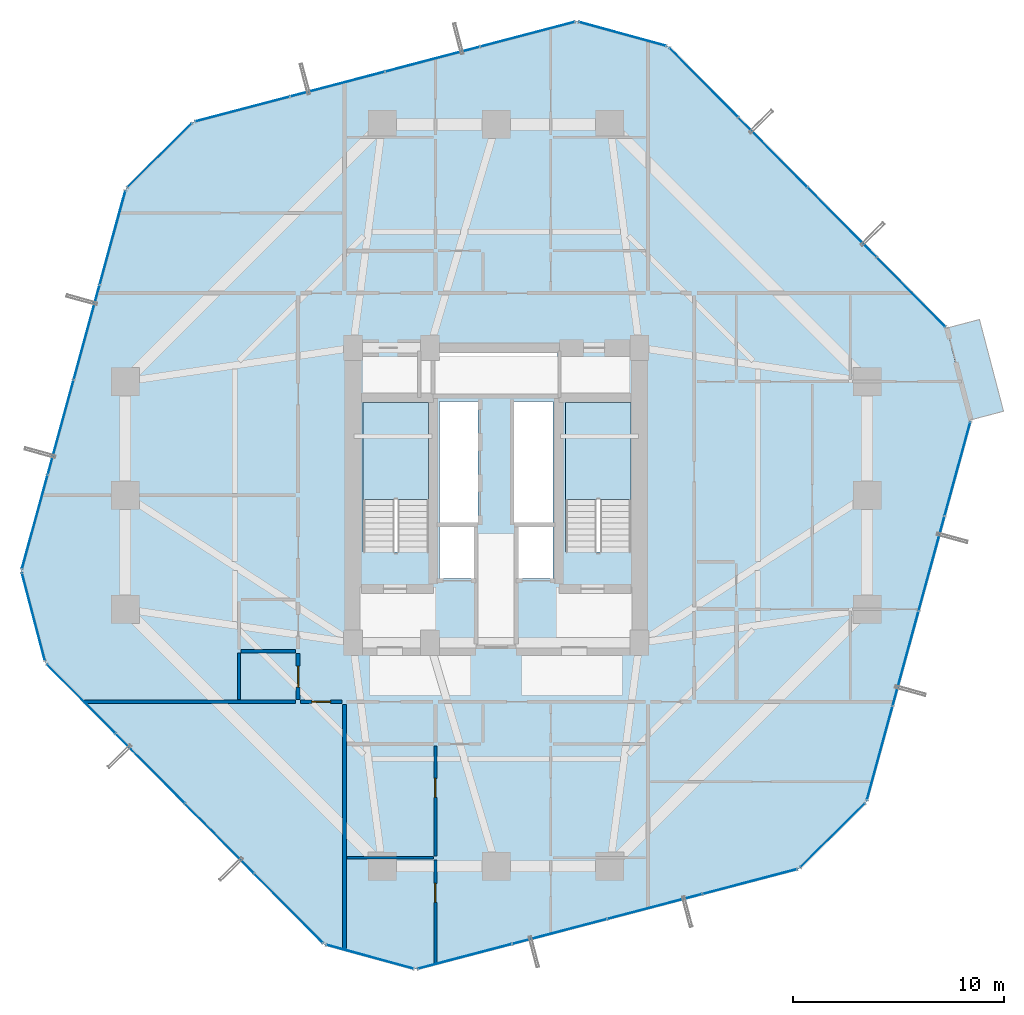
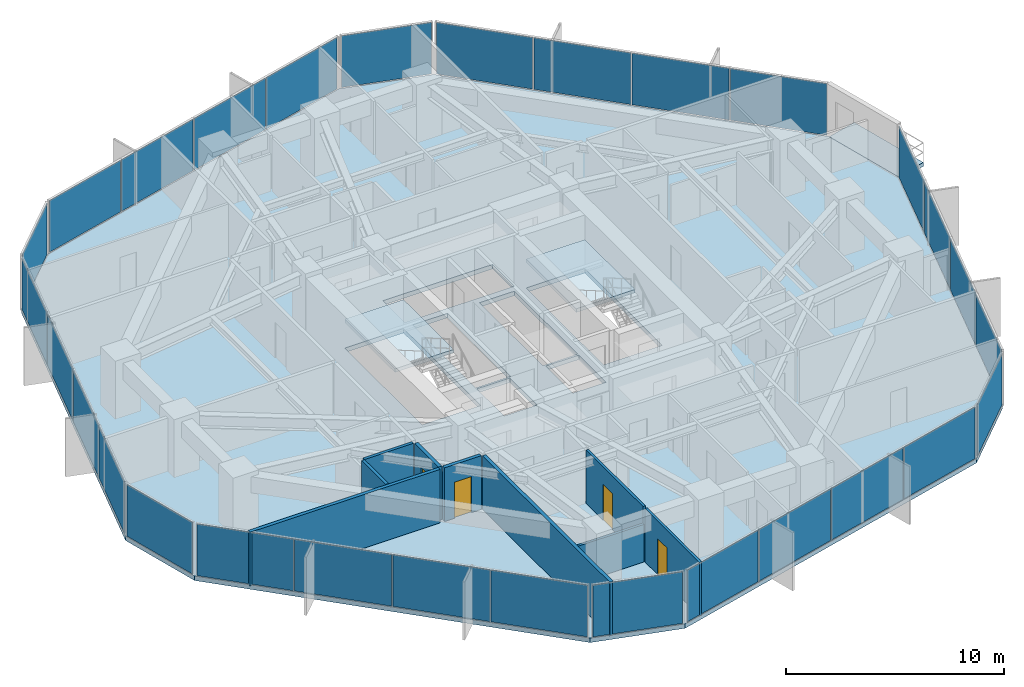
# One storey, part 33 of 39: 29 plates, 9 walls, 4 doors, 4 slabs, 4 openings, 13 elements without a shape of their own.
"""IFC4 building model written with IfcOpenShell, lengths in metres."""

from ifc_helpers import new_model, si_unit, direction, frame, frame_2d, origin, origin_2d, place, context, subcontext, project, spatial, polyline, rectangle, outline, extrude, source, transform, mapped, material, layer, layer_set, type_object, element, fill, aggregate, save


model = new_model("IFC4")

# Units and contexts
model_context = context("Model", 3, precision=1e-05, world=origin(), true_north=direction((0.0, 1.0)))
body_context = subcontext(model_context, "Body", "Model", "MODEL_VIEW")
ifc_project = project(units=[si_unit("LENGTHUNIT", "METRE"), si_unit("AREAUNIT", "SQUARE_METRE"), si_unit("VOLUMEUNIT", "CUBIC_METRE"), si_unit("PLANEANGLEUNIT", "RADIAN"), si_unit("MASSUNIT", "GRAM", prefix="KILO")], contexts=[model_context])

# Site, building, storey
site_placement = place(None, origin())
site = spatial("IfcSite", under=ifc_project, at=site_placement, CompositionType="ELEMENT")
building_placement = place(site_placement, origin())
building = spatial("IfcBuilding", under=site, at=building_placement, Name="Veraguas Prism Commons", CompositionType="ELEMENT")
storey_placement = place(building_placement, frame((0.0, 0.0, 73.85009765625)))
storey = spatial("IfcBuildingStorey", under=building, at=storey_placement, Name="L20", CompositionType="ELEMENT", Elevation=73.85009765625)

# Stair, slab
ifc_material_1 = material(Name="Precast concrete C45/55", Category="concrete")
stair_type = type_object("IfcStairType", Name="Dogleg Core Stair 1480W 20R 05", PredefinedType="HALF_TURN_STAIR", material=ifc_material_1)
stair_1_placement = place(storey_placement, origin())
stair_1 = element("IfcStair", 1, at=stair_1_placement, inside=storey, type_object=stair_type, Name="Protected Exit Stair ST-01 L20", PredefinedType="HALF_TURN_STAIR")
ifc_layer_1 = layer(ifc_material_1, 0.199951171875, Name="Precast Stair and Ramp Landing Slab 200", Category="concrete")
ifc_layer_set_1 = layer_set([ifc_layer_1], Name="Precast concrete C45/55")
slab_type_1 = type_object("IfcSlabType", Name="Precast Stair and Ramp Landing Slab 200", PredefinedType="LANDING", material=ifc_layer_set_1)
slab_1_placement = place(storey_placement, frame((0.0, 0.0, 1.4248046875)))
slab_1 = element("IfcSlab", 2, at=slab_1_placement, type_object=slab_type_1, Name="ST-05 Landing 1", PredefinedType="LANDING", context=body_context, shape_type="SweptSolid", body=[
    extrude(outline(polyline([(20.800048828125, 23.800048828125), (20.800048828125, 28.39990234375), (17.68994140625, 28.39990234375), (17.68994140625, 23.800048828125), (20.800048828125, 23.800048828125)])), origin(), (0.0, 0.0, 1.0), 0.2001953125),
])
aggregate(stair_1, [slab_1])

stair_2_placement = place(storey_placement, origin())
stair_2 = element("IfcStair", 3, at=stair_2_placement, inside=storey, type_object=stair_type, Name="Protected Exit Stair ST-02 L20", PredefinedType="HALF_TURN_STAIR")
slab_2_placement = place(storey_placement, frame((0.0, 0.0, 1.4248046875)))
slab_2 = element("IfcSlab", 4, at=slab_2_placement, type_object=slab_type_1, Name="ST-05 Landing 1", PredefinedType="LANDING", context=body_context, shape_type="SweptSolid", body=[
    extrude(outline(polyline([(30.39990234375, 23.800048828125), (30.39990234375, 28.39990234375), (27.2900390625, 28.39990234375), (27.2900390625, 23.800048828125), (30.39990234375, 23.800048828125)])), origin(), (0.0, 0.0, 1.0), 0.2001953125),
])
aggregate(stair_2, [slab_2])

# Slabs
ifc_material_2 = material(Name="Concrete C45/55", Category="concrete")
ifc_layer_2 = layer(ifc_material_2, 0.219970703125, Name="Recessed Loggia and Terrace Slab RC 220", Category="concrete")
ifc_layer_set_2 = layer_set([ifc_layer_2], Name="Concrete C45/55")
slab_type_2 = type_object("IfcSlabType", Name="Recessed Loggia and Terrace Slab RC 220", PredefinedType="FLOOR", material=ifc_layer_set_2)
slab_3_placement = place(storey_placement, frame((0.0, 0.0, -0.22021484375)))
element("IfcSlab", 5, at=slab_3_placement, inside=storey, type_object=slab_type_2, Name="Recessed Corner Loggia L20-C1", PredefinedType="FLOOR", context=body_context, shape_type="SweptSolid", body=[
    extrude(outline(polyline([(46.509521484375, 27.5791015625), (48.076416015625, 27.990234375), (46.9345703125, 32.343017578125), (45.36767578125, 31.931884765625), (46.509521484375, 27.5791015625)])), origin(), (0.0, 0.0, 1.0), 0.22021484375),
])
ifc_layer_3 = layer(ifc_material_2, 0.25, Name="Tower Lower Residential Floor Slab RC 250", Category="concrete")
ifc_layer_set_3 = layer_set([ifc_layer_3], Name="Concrete C45/55")
slab_type_3 = type_object("IfcSlabType", Name="Tower Lower Residential Floor Slab RC 250", PredefinedType="FLOOR", material=ifc_layer_set_3)
slab_4_placement = place(storey_placement, frame((0.0, 0.0, -0.25)))
element("IfcSlab", 6, at=slab_4_placement, inside=storey, type_object=slab_type_3, Name="Tower Floor Slab L20", PredefinedType="FLOOR", context=body_context, shape_type="SweptSolid", body=[
    extrude(outline(polyline([(46.52880859375, 27.584228515625), (45.386962890625, 31.93701171875), (32.160400390625, 45.302734375), (27.81982421875, 46.489990234375), (9.631591796875, 41.718505859375), (6.43310546875, 38.55322265625), (1.47119140625, 20.415771484375), (2.613037109375, 16.06298828125), (15.839599609375, 2.697265625), (20.18017578125, 1.510009765625), (38.368408203125, 6.281494140625), (41.56689453125, 9.44677734375), (46.52880859375, 27.584228515625)]), holes=[polyline([(20.800048828125, 21.31005859375), (20.800048828125, 28.39990234375), (17.68994140625, 28.39990234375), (17.68994140625, 21.31005859375), (20.800048828125, 21.31005859375)]), polyline([(30.39990234375, 21.31005859375), (30.39990234375, 28.39990234375), (27.2900390625, 28.39990234375), (27.2900390625, 21.31005859375), (30.39990234375, 21.31005859375)]), polyline([(21.300048828125, 22.64990234375), (23.14990234375, 22.64990234375), (23.14990234375, 28.449951171875), (21.300048828125, 28.449951171875), (21.300048828125, 22.64990234375)]), polyline([(24.85009765625, 22.64990234375), (26.699951171875, 22.64990234375), (26.699951171875, 28.449951171875), (24.85009765625, 28.449951171875), (24.85009765625, 22.64990234375)]), polyline([(21.10009765625, 28.800048828125), (26.89990234375, 28.800048828125), (26.89990234375, 30.800048828125), (21.10009765625, 30.800048828125), (21.10009765625, 28.800048828125)]), polyline([(21.300048828125, 20.050048828125), (23.050048828125, 20.050048828125), (23.050048828125, 22.550048828125), (21.300048828125, 22.550048828125), (21.300048828125, 20.050048828125)]), polyline([(24.949951171875, 20.050048828125), (26.699951171875, 20.050048828125), (26.699951171875, 22.550048828125), (24.949951171875, 22.550048828125), (24.949951171875, 20.050048828125)])]), origin(), (0.0, 0.0, 1.0), 0.25),
])

# Curtain wall, plates
ifc_material_3 = material(Name="Anodised aluminium EN AW-6063 T6", Category="aluminium")
ifc_layer_4 = layer(ifc_material_3, 0.169921875, Name="Unitised Flush Curtain Wall Zone 1", Category="aluminium")
ifc_layer_set_4 = layer_set([ifc_layer_4], Name="Anodised aluminium EN AW-6063 T6")
curtain_wall_type = type_object("IfcCurtainWallType", Name="Unitised Flush Curtain Wall Zone 1", PredefinedType="NOTDEFINED", material=ifc_layer_set_4)
curtain_wall_1_placement = place(storey_placement, origin())
curtain_wall_1 = element("IfcCurtainWall", 7, at=curtain_wall_1_placement, inside=storey, type_object=curtain_wall_type, Name="Tower Facade Curtain Wall L20-F1", PredefinedType="NOTDEFINED")
ifc_material_4 = material(Name="Laminated low-e glass", Category="glass")
ifc_layer_5 = layer(ifc_material_4, 0.028076171875, Name="Unitised Double Low-E Glazed Panel 28", Category="glass")
ifc_layer_set_5 = layer_set([ifc_layer_5], Name="Laminated low-e glass")
plate_type = type_object("IfcPlateType", Name="Unitised Double Low-E Glazed Panel 28", PredefinedType="CURTAIN_PANEL", material=ifc_layer_set_5)
shared_shape_1 = source(origin(), body_context, "Body", "SweptSolid", [
    extrude(rectangle(XDim=4.5810546875, YDim=0.028076171875, at=origin_2d()), origin(), (0.0, 0.0, 1.0), 2.889892578125),
])
plate_1_placement = place(storey_placement, frame((43.69140625, 33.650146484375, 0.05517578125), z_axis=(0.0, 0.0, 1.0), x_axis=(-0.70339346223, 0.710800701527, 0.0)))
plate_1 = element("IfcPlate", 8, at=plate_1_placement, type_object=plate_type, Name="CW-Z1 Panel 1.1", PredefinedType="CURTAIN_PANEL", context=body_context, shape_type="MappedRepresentation", body=[
    mapped(shared_shape_1, transform((0.0, 0.0, 0.0), scale=1.0)),
])
plate_2_placement = place(storey_placement, frame((33.85595703125, 43.58935546875, 0.05517578125), z_axis=(0.0, 0.0, 1.0), x_axis=(-0.70339346223, 0.710800701527, 0.0)))
plate_2 = element("IfcPlate", 9, at=plate_2_placement, type_object=plate_type, Name="CW-Z1 Panel 4.1", PredefinedType="CURTAIN_PANEL", context=body_context, shape_type="MappedRepresentation", body=[
    mapped(shared_shape_1, transform((0.0, 0.0, 0.0), scale=1.0)),
])

curtain_wall_2_placement = place(storey_placement, origin())
curtain_wall_2 = element("IfcCurtainWall", 10, at=curtain_wall_2_placement, inside=storey, type_object=curtain_wall_type, Name="Tower Facade Curtain Wall L20-F2", PredefinedType="NOTDEFINED")
plate_3_placement = place(storey_placement, frame((25.48828125, 45.87841796875, 0.05517578125), z_axis=(0.0, 0.0, 1.0), x_axis=(-0.967267309883, -0.253759632785, 0.0)))
plate_3 = element("IfcPlate", 11, at=plate_3_placement, type_object=plate_type, Name="CW-Z1 Panel 1.1", PredefinedType="CURTAIN_PANEL", context=body_context, shape_type="MappedRepresentation", body=[
    mapped(shared_shape_1, transform((0.0, 0.0, 0.0), scale=1.0)),
])
plate_4_placement = place(storey_placement, frame((11.963134765625, 42.330078125, 0.05517578125), z_axis=(0.0, 0.0, 1.0), x_axis=(-0.967267309883, -0.253759632785, 0.0)))
plate_4 = element("IfcPlate", 12, at=plate_4_placement, type_object=plate_type, Name="CW-Z1 Panel 4.1", PredefinedType="CURTAIN_PANEL", context=body_context, shape_type="MappedRepresentation", body=[
    mapped(shared_shape_1, transform((0.0, 0.0, 0.0), scale=1.0)),
])

curtain_wall_3_placement = place(storey_placement, origin())
curtain_wall_3 = element("IfcCurtainWall", 13, at=curtain_wall_3_placement, inside=storey, type_object=curtain_wall_type, Name="Tower Facade Curtain Wall L20-F3", PredefinedType="NOTDEFINED")
plate_5_placement = place(storey_placement, frame((5.796875, 36.22802734375, 0.05517578125), z_axis=(0.0, 0.0, 1.0), x_axis=(-0.26387978384, -0.964555576253, 0.0)))
plate_5 = element("IfcPlate", 14, at=plate_5_placement, type_object=plate_type, Name="CW-Z1 Panel 1.1", PredefinedType="CURTAIN_PANEL", context=body_context, shape_type="MappedRepresentation", body=[
    mapped(shared_shape_1, transform((0.0, 0.0, 0.0), scale=1.0)),
])
plate_6_placement = place(storey_placement, frame((2.107177734375, 22.740966796875, 0.05517578125), z_axis=(0.0, 0.0, 1.0), x_axis=(-0.26387978384, -0.964555576253, 0.0)))
plate_6 = element("IfcPlate", 15, at=plate_6_placement, type_object=plate_type, Name="CW-Z1 Panel 4.1", PredefinedType="CURTAIN_PANEL", context=body_context, shape_type="MappedRepresentation", body=[
    mapped(shared_shape_1, transform((0.0, 0.0, 0.0), scale=1.0)),
])

curtain_wall_4_placement = place(storey_placement, origin())
curtain_wall_4 = element("IfcCurtainWall", 16, at=curtain_wall_4_placement, inside=storey, type_object=curtain_wall_type, Name="Tower Facade Curtain Wall L20-F4", PredefinedType="NOTDEFINED")
plate_7_placement = place(storey_placement, frame((4.30859375, 14.349853515625, 0.05517578125), z_axis=(0.0, 0.0, 1.0), x_axis=(0.70339346223, -0.710800701527, 0.0)))
plate_7 = element("IfcPlate", 17, at=plate_7_placement, type_object=plate_type, Name="CW-Z1 Panel 1.1", PredefinedType="CURTAIN_PANEL", context=body_context, shape_type="MappedRepresentation", body=[
    mapped(shared_shape_1, transform((0.0, 0.0, 0.0), scale=1.0)),
])
plate_8_placement = place(storey_placement, frame((14.14404296875, 4.41064453125, 0.05517578125), z_axis=(0.0, 0.0, 1.0), x_axis=(0.70339346223, -0.710800701527, 0.0)))
plate_8 = element("IfcPlate", 18, at=plate_8_placement, type_object=plate_type, Name="CW-Z1 Panel 4.1", PredefinedType="CURTAIN_PANEL", context=body_context, shape_type="MappedRepresentation", body=[
    mapped(shared_shape_1, transform((0.0, 0.0, 0.0), scale=1.0)),
])

curtain_wall_5_placement = place(storey_placement, origin())
curtain_wall_5 = element("IfcCurtainWall", 19, at=curtain_wall_5_placement, inside=storey, type_object=curtain_wall_type, Name="Tower Facade Curtain Wall L20-F5", PredefinedType="NOTDEFINED")
plate_9_placement = place(storey_placement, frame((22.51171875, 2.12158203125, 0.05517578125), z_axis=(0.0, 0.0, 1.0), x_axis=(0.967267309883, 0.253759632785, 0.0)))
plate_9 = element("IfcPlate", 20, at=plate_9_placement, type_object=plate_type, Name="CW-Z1 Panel 1.1", PredefinedType="CURTAIN_PANEL", context=body_context, shape_type="MappedRepresentation", body=[
    mapped(shared_shape_1, transform((0.0, 0.0, 0.0), scale=1.0)),
])
plate_10_placement = place(storey_placement, frame((36.036865234375, 5.669921875, 0.05517578125), z_axis=(0.0, 0.0, 1.0), x_axis=(0.967267309883, 0.253759632785, 0.0)))
plate_10 = element("IfcPlate", 21, at=plate_10_placement, type_object=plate_type, Name="CW-Z1 Panel 4.1", PredefinedType="CURTAIN_PANEL", context=body_context, shape_type="MappedRepresentation", body=[
    mapped(shared_shape_1, transform((0.0, 0.0, 0.0), scale=1.0)),
])

curtain_wall_6_placement = place(storey_placement, origin())
curtain_wall_6 = element("IfcCurtainWall", 22, at=curtain_wall_6_placement, inside=storey, type_object=curtain_wall_type, Name="Tower Facade Curtain Wall L20-F6", PredefinedType="NOTDEFINED")
plate_11_placement = place(storey_placement, frame((42.203125, 11.77197265625, 0.05517578125), z_axis=(0.0, 0.0, 1.0), x_axis=(0.26387978384, 0.964555576253, 0.0)))
plate_11 = element("IfcPlate", 23, at=plate_11_placement, type_object=plate_type, Name="CW-Z1 Panel 1.1", PredefinedType="CURTAIN_PANEL", context=body_context, shape_type="MappedRepresentation", body=[
    mapped(shared_shape_1, transform((0.0, 0.0, 0.0), scale=1.0)),
])
plate_12_placement = place(storey_placement, frame((45.892822265625, 25.259033203125, 0.05517578125), z_axis=(0.0, 0.0, 1.0), x_axis=(0.26387978384, 0.964555576253, 0.0)))
plate_12 = element("IfcPlate", 24, at=plate_12_placement, type_object=plate_type, Name="CW-Z1 Panel 4.1", PredefinedType="CURTAIN_PANEL", context=body_context, shape_type="MappedRepresentation", body=[
    mapped(shared_shape_1, transform((0.0, 0.0, 0.0), scale=1.0)),
])

# Plate
shared_shape_2 = source(origin(), body_context, "Body", "SweptSolid", [
    extrude(rectangle(XDim=4.611083984375, YDim=0.028076171875, at=origin_2d()), origin(), (0.0, 0.0, 1.0), 2.889892578125),
])
plate_13_placement = place(storey_placement, frame((40.41650390625, 36.959716796875, 0.05517578125), z_axis=(0.0, 0.0, 1.0), x_axis=(-0.70339346223, 0.710800701527, 0.0)))
plate_13 = element("IfcPlate", 25, at=plate_13_placement, type_object=plate_type, Name="CW-Z1 Panel 2.1", PredefinedType="CURTAIN_PANEL", context=body_context, shape_type="MappedRepresentation", body=[
    mapped(shared_shape_2, transform((0.0, 0.0, 0.0), scale=1.0)),
])

plate_14_placement = place(storey_placement, frame((37.130859375, 40.27978515625, 0.05517578125), z_axis=(0.0, 0.0, 1.0), x_axis=(-0.70339346223, 0.710800701527, 0.0)))
plate_14 = element("IfcPlate", 26, at=plate_14_placement, type_object=plate_type, Name="CW-Z1 Panel 3.1", PredefinedType="CURTAIN_PANEL", context=body_context, shape_type="MappedRepresentation", body=[
    mapped(shared_shape_2, transform((0.0, 0.0, 0.0), scale=1.0)),
])

aggregate(curtain_wall_1, [plate_1, plate_13, plate_14, plate_2])

plate_15_placement = place(storey_placement, frame((20.98486328125, 44.697021484375, 0.05517578125), z_axis=(0.0, 0.0, 1.0), x_axis=(-0.967267309883, -0.253759632785, 0.0)))
plate_15 = element("IfcPlate", 27, at=plate_15_placement, type_object=plate_type, Name="CW-Z1 Panel 2.1", PredefinedType="CURTAIN_PANEL", context=body_context, shape_type="MappedRepresentation", body=[
    mapped(shared_shape_2, transform((0.0, 0.0, 0.0), scale=1.0)),
])

plate_16_placement = place(storey_placement, frame((16.466796875, 43.51171875, 0.05517578125), z_axis=(0.0, 0.0, 1.0), x_axis=(-0.967267309883, -0.253759632785, 0.0)))
plate_16 = element("IfcPlate", 28, at=plate_16_placement, type_object=plate_type, Name="CW-Z1 Panel 3.1", PredefinedType="CURTAIN_PANEL", context=body_context, shape_type="MappedRepresentation", body=[
    mapped(shared_shape_2, transform((0.0, 0.0, 0.0), scale=1.0)),
])

aggregate(curtain_wall_2, [plate_3, plate_15, plate_16, plate_4])

plate_17_placement = place(storey_placement, frame((7.58349609375, 11.040283203125, 0.05517578125), z_axis=(0.0, 0.0, 1.0), x_axis=(0.70339346223, -0.710800701527, 0.0)))
plate_17 = element("IfcPlate", 29, at=plate_17_placement, type_object=plate_type, Name="CW-Z1 Panel 2.1", PredefinedType="CURTAIN_PANEL", context=body_context, shape_type="MappedRepresentation", body=[
    mapped(shared_shape_2, transform((0.0, 0.0, 0.0), scale=1.0)),
])

plate_18_placement = place(storey_placement, frame((10.869140625, 7.72021484375, 0.05517578125), z_axis=(0.0, 0.0, 1.0), x_axis=(0.70339346223, -0.710800701527, 0.0)))
plate_18 = element("IfcPlate", 30, at=plate_18_placement, type_object=plate_type, Name="CW-Z1 Panel 3.1", PredefinedType="CURTAIN_PANEL", context=body_context, shape_type="MappedRepresentation", body=[
    mapped(shared_shape_2, transform((0.0, 0.0, 0.0), scale=1.0)),
])

aggregate(curtain_wall_4, [plate_7, plate_17, plate_18, plate_8])

plate_19_placement = place(storey_placement, frame((27.01513671875, 3.302978515625, 0.05517578125), z_axis=(0.0, 0.0, 1.0), x_axis=(0.967267309883, 0.253759632785, 0.0)))
plate_19 = element("IfcPlate", 31, at=plate_19_placement, type_object=plate_type, Name="CW-Z1 Panel 2.1", PredefinedType="CURTAIN_PANEL", context=body_context, shape_type="MappedRepresentation", body=[
    mapped(shared_shape_2, transform((0.0, 0.0, 0.0), scale=1.0)),
])

plate_20_placement = place(storey_placement, frame((31.533203125, 4.48828125, 0.05517578125), z_axis=(0.0, 0.0, 1.0), x_axis=(0.967267309883, 0.253759632785, 0.0)))
plate_20 = element("IfcPlate", 32, at=plate_20_placement, type_object=plate_type, Name="CW-Z1 Panel 3.1", PredefinedType="CURTAIN_PANEL", context=body_context, shape_type="MappedRepresentation", body=[
    mapped(shared_shape_2, transform((0.0, 0.0, 0.0), scale=1.0)),
])

aggregate(curtain_wall_5, [plate_9, plate_19, plate_20, plate_10])

shared_shape_3 = source(origin(), body_context, "Body", "SweptSolid", [
    extrude(rectangle(XDim=4.61083984375, YDim=0.028076171875, at=origin_2d()), origin(), (0.0, 0.0, 1.0), 2.889892578125),
])
plate_21_placement = place(storey_placement, frame((4.568359375, 31.7373046875, 0.05517578125), z_axis=(0.0, 0.0, 1.0), x_axis=(-0.26387978384, -0.964555576253, 0.0)))
plate_21 = element("IfcPlate", 33, at=plate_21_placement, type_object=plate_type, Name="CW-Z1 Panel 2.1", PredefinedType="CURTAIN_PANEL", context=body_context, shape_type="MappedRepresentation", body=[
    mapped(shared_shape_3, transform((0.0, 0.0, 0.0), scale=1.0)),
])

plate_22_placement = place(storey_placement, frame((3.335693359375, 27.231689453125, 0.05517578125), z_axis=(0.0, 0.0, 1.0), x_axis=(-0.26387978384, -0.964555576253, 0.0)))
plate_22 = element("IfcPlate", 34, at=plate_22_placement, type_object=plate_type, Name="CW-Z1 Panel 3.1", PredefinedType="CURTAIN_PANEL", context=body_context, shape_type="MappedRepresentation", body=[
    mapped(shared_shape_3, transform((0.0, 0.0, 0.0), scale=1.0)),
])

aggregate(curtain_wall_3, [plate_5, plate_21, plate_22, plate_6])

plate_23_placement = place(storey_placement, frame((43.431640625, 16.2626953125, 0.05517578125), z_axis=(0.0, 0.0, 1.0), x_axis=(0.26387978384, 0.964555576253, 0.0)))
plate_23 = element("IfcPlate", 35, at=plate_23_placement, type_object=plate_type, Name="CW-Z1 Panel 2.1", PredefinedType="CURTAIN_PANEL", context=body_context, shape_type="MappedRepresentation", body=[
    mapped(shared_shape_3, transform((0.0, 0.0, 0.0), scale=1.0)),
])

plate_24_placement = place(storey_placement, frame((44.664306640625, 20.768310546875, 0.05517578125), z_axis=(0.0, 0.0, 1.0), x_axis=(0.26387978384, 0.964555576253, 0.0)))
plate_24 = element("IfcPlate", 36, at=plate_24_placement, type_object=plate_type, Name="CW-Z1 Panel 3.1", PredefinedType="CURTAIN_PANEL", context=body_context, shape_type="MappedRepresentation", body=[
    mapped(shared_shape_3, transform((0.0, 0.0, 0.0), scale=1.0)),
])

aggregate(curtain_wall_6, [plate_11, plate_23, plate_24, plate_12])

# Curtain wall, plate
curtain_wall_7_placement = place(storey_placement, origin())
curtain_wall_7 = element("IfcCurtainWall", 37, at=curtain_wall_7_placement, inside=storey, type_object=curtain_wall_type, Name="Chamfer Curtain Wall L20-C2", PredefinedType="NOTDEFINED")
shared_shape_4 = source(origin(), body_context, "Body", "SweptSolid", [
    extrude(rectangle(XDim=4.260009765625, YDim=0.028076171875, at=origin_2d()), origin(), (0.0, 0.0, 1.0), 2.889892578125),
])
plate_25_placement = place(storey_placement, frame((29.990234375, 45.896484375, 0.05517578125), z_axis=(0.0, 0.0, 1.0), x_axis=(-0.964554194568, 0.263884834238, 0.0)))
plate_25 = element("IfcPlate", 38, at=plate_25_placement, type_object=plate_type, Name="CW-Z1 Panel 1.1", PredefinedType="CURTAIN_PANEL", context=body_context, shape_type="MappedRepresentation", body=[
    mapped(shared_shape_4, transform((0.0, 0.0, 0.0), scale=1.0)),
])
aggregate(curtain_wall_7, [plate_25])

curtain_wall_8_placement = place(storey_placement, origin())
curtain_wall_8 = element("IfcCurtainWall", 39, at=curtain_wall_8_placement, inside=storey, type_object=curtain_wall_type, Name="Chamfer Curtain Wall L20-C3", PredefinedType="NOTDEFINED")
plate_26_placement = place(storey_placement, frame((8.0322265625, 40.1357421875, 0.05517578125), z_axis=(0.0, 0.0, 1.0), x_axis=(-0.710806839766, -0.703387259297, 0.0)))
plate_26 = element("IfcPlate", 40, at=plate_26_placement, type_object=plate_type, Name="CW-Z1 Panel 1.1", PredefinedType="CURTAIN_PANEL", context=body_context, shape_type="MappedRepresentation", body=[
    mapped(shared_shape_4, transform((0.0, 0.0, 0.0), scale=1.0)),
])
aggregate(curtain_wall_8, [plate_26])

curtain_wall_9_placement = place(storey_placement, origin())
curtain_wall_9 = element("IfcCurtainWall", 41, at=curtain_wall_9_placement, inside=storey, type_object=curtain_wall_type, Name="Chamfer Curtain Wall L20-C4", PredefinedType="NOTDEFINED")
plate_27_placement = place(storey_placement, frame((2.0419921875, 18.239501953125, 0.05517578125), z_axis=(0.0, 0.0, 1.0), x_axis=(0.253763009183, -0.967266424089, 0.0)))
plate_27 = element("IfcPlate", 42, at=plate_27_placement, type_object=plate_type, Name="CW-Z1 Panel 1.1", PredefinedType="CURTAIN_PANEL", context=body_context, shape_type="MappedRepresentation", body=[
    mapped(shared_shape_4, transform((0.0, 0.0, 0.0), scale=1.0)),
])
aggregate(curtain_wall_9, [plate_27])

curtain_wall_10_placement = place(storey_placement, origin())
curtain_wall_10 = element("IfcCurtainWall", 43, at=curtain_wall_10_placement, inside=storey, type_object=curtain_wall_type, Name="Chamfer Curtain Wall L20-C5", PredefinedType="NOTDEFINED")
plate_28_placement = place(storey_placement, frame((18.009765625, 2.103515625, 0.05517578125), z_axis=(0.0, 0.0, 1.0), x_axis=(0.964554194568, -0.263884834238, 0.0)))
plate_28 = element("IfcPlate", 44, at=plate_28_placement, type_object=plate_type, Name="CW-Z1 Panel 1.1", PredefinedType="CURTAIN_PANEL", context=body_context, shape_type="MappedRepresentation", body=[
    mapped(shared_shape_4, transform((0.0, 0.0, 0.0), scale=1.0)),
])
aggregate(curtain_wall_10, [plate_28])

curtain_wall_11_placement = place(storey_placement, origin())
curtain_wall_11 = element("IfcCurtainWall", 45, at=curtain_wall_11_placement, inside=storey, type_object=curtain_wall_type, Name="Chamfer Curtain Wall L20-C6", PredefinedType="NOTDEFINED")
plate_29_placement = place(storey_placement, frame((39.9677734375, 7.8642578125, 0.05517578125), z_axis=(0.0, 0.0, 1.0), x_axis=(0.710806839766, 0.703387259297, 0.0)))
plate_29 = element("IfcPlate", 46, at=plate_29_placement, type_object=plate_type, Name="CW-Z1 Panel 1.1", PredefinedType="CURTAIN_PANEL", context=body_context, shape_type="MappedRepresentation", body=[
    mapped(shared_shape_4, transform((0.0, 0.0, 0.0), scale=1.0)),
])
aggregate(curtain_wall_11, [plate_29])

# Walls
ifc_material_5 = material(Name="Autoclaved aerated masonry block 10 MPa", Category="masonry")
ifc_layer_6 = layer(ifc_material_5, 0.179931640625, Name="Corridor and Inter-Tenancy Partition 180", Category="masonry")
ifc_layer_set_6 = layer_set([ifc_layer_6], Name="Autoclaved aerated masonry block 10 MPa")
wall_type_1 = type_object("IfcWallType", Name="Corridor and Inter-Tenancy Partition 180", PredefinedType="PARTITIONING", material=ifc_layer_set_6)
wall_1_placement = place(storey_placement, frame((16.800048828125, 14.080078125, 0.0), z_axis=(0.0, 0.0, 1.0), x_axis=(0.0, -1.0, 0.0)))
element("IfcWall", 47, at=wall_1_placement, inside=storey, type_object=wall_type_1, Name="WL-L20-PT001", PredefinedType="PARTITIONING", context=body_context, shape_type="SweptSolid", body=[
    extrude(rectangle(XDim=11.676513671875, YDim=0.179931640625, at=frame_2d((5.83837890625, 0.0))), origin(), (0.0, 0.0, 1.0), 3.0),
])
wall_2_placement = place(storey_placement, frame((14.47998046875, 14.199951171875, 0.0), z_axis=(0.0, 0.0, 1.0), x_axis=(-1.0, 0.0, 0.0)))
element("IfcWall", 48, at=wall_2_placement, inside=storey, type_object=wall_type_1, Name="WL-L20-PT033", PredefinedType="PARTITIONING", context=body_context, shape_type="SweptSolid", body=[
    extrude(rectangle(XDim=10.0654296875, YDim=0.179931640625, at=frame_2d((5.03271484375, 0.0))), origin(), (0.0, 0.0, 1.0), 3.0),
])

# Wall, opening, door
wall_3_placement = place(storey_placement, frame((14.60009765625, 14.31005859375, 0.0), z_axis=(0.0, 0.0, 1.0), x_axis=(0.0, 1.0, 0.0)))
wall_3 = element("IfcWall", 49, at=wall_3_placement, inside=storey, type_object=wall_type_1, Name="WL-L20-PT035", PredefinedType="PARTITIONING", context=body_context, shape_type="SweptSolid", body=[
    extrude(rectangle(XDim=2.179931640625, YDim=0.179931640625, at=frame_2d((1.08984375, 0.0))), origin(), (0.0, 0.0, 1.0), 3.0),
])
opening_1_placement = place(wall_3_placement, frame((0.590087890625, 0.0, 0.0)))
opening_1 = element("IfcOpeningElement", 50, at=opening_1_placement, cuts=wall_3, Name="Opening DR-13", PredefinedType="OPENING", context=body_context, shape_type="SweptSolid", body=[
    extrude(rectangle(XDim=1.0, YDim=2.010009765625, at=frame_2d((0.5, 1.0048828125))), frame((0.0, 0.099853515625, 0.0), z_axis=(0.0, -1.0, 0.0), x_axis=(1.0, 0.0, 0.0)), (0.0, 0.0, 1.0), 0.199951171875),
])
ifc_material_6 = material(Name="Steel fire-rated door assembly", Category="steel")
door_type_1 = type_object("IfcDoorType", Name="Core Accessible WC and Clinic Fire Door 1000x2010", OperationType="NOTDEFINED", PredefinedType="DOOR", material=ifc_material_6)
shared_shape_5 = source(origin(), body_context, "Body", "SweptSolid", [
    extrude(rectangle(XDim=1.0, YDim=2.010009765625, at=frame_2d((0.5, 1.0048828125))), frame((0.0, 0.02490234375, 0.0), z_axis=(0.0, -1.0, 0.0), x_axis=(1.0, 0.0, 0.0)), (0.0, 0.0, 1.0), 0.050048828125),
])
door_1_placement = place(opening_1_placement, origin())
door_1 = element("IfcDoor", 51, at=door_1_placement, inside=storey, type_object=door_type_1, Name="Public WC L20 Door", OperationType="SINGLE_SWING_RIGHT", OverallHeight=2.010009765625, OverallWidth=1.0, PredefinedType="DOOR", context=body_context, shape_type="MappedRepresentation", body=[
    mapped(shared_shape_5, transform((0.0, 0.0, 0.0), scale=1.0)),
])
fill(opening_1, door_1)

wall_4_placement = place(storey_placement, frame((14.719970703125, 14.199951171875, 0.0), z_axis=(0.0, 0.0, 1.0), x_axis=(1.0, 0.0, 0.0)))
wall_4 = element("IfcWall", 52, at=wall_4_placement, inside=storey, type_object=wall_type_1, Name="WL-L20-PT061", PredefinedType="PARTITIONING", context=body_context, shape_type="SweptSolid", body=[
    extrude(rectangle(XDim=1.9599609375, YDim=0.179931640625, at=frame_2d((0.97998046875, 0.0))), origin(), (0.0, 0.0, 1.0), 3.0),
])
opening_2_placement = place(wall_4_placement, frame((0.530029296875, 0.0, 0.0)))
opening_2 = element("IfcOpeningElement", 53, at=opening_2_placement, cuts=wall_4, Name="Opening DR-14", PredefinedType="OPENING", context=body_context, shape_type="SweptSolid", body=[
    extrude(rectangle(XDim=0.89990234375, YDim=2.010009765625, at=frame_2d((0.449951171875, 1.0048828125))), frame((0.0, 0.099853515625, 0.0), z_axis=(0.0, -1.0, 0.0), x_axis=(1.0, 0.0, 0.0)), (0.0, 0.0, 1.0), 0.199951171875),
])
door_type_2 = type_object("IfcDoorType", Name="Core Service Room Fire Door 900x2010", OperationType="NOTDEFINED", PredefinedType="DOOR", material=ifc_material_6)
shared_shape_6 = source(origin(), body_context, "Body", "SweptSolid", [
    extrude(rectangle(XDim=0.89990234375, YDim=2.010009765625, at=frame_2d((0.449951171875, 1.0048828125))), frame((0.0, 0.02490234375, 0.0), z_axis=(0.0, -1.0, 0.0), x_axis=(1.0, 0.0, 0.0)), (0.0, 0.0, 1.0), 0.050048828125),
])
door_2_placement = place(opening_2_placement, origin())
door_2 = element("IfcDoor", 54, at=door_2_placement, inside=storey, type_object=door_type_2, Name="Residents Corner Study Room SW Door", OperationType="SINGLE_SWING_LEFT", OverallHeight=2.010009765625, OverallWidth=0.89990234375, PredefinedType="DOOR", context=body_context, shape_type="MappedRepresentation", body=[
    mapped(shared_shape_6, transform((0.0, 0.0, 0.0), scale=1.0)),
])
fill(opening_2, door_2)

# Wall
ifc_material_7 = material(Name="Lightweight acoustic gypsum board")
ifc_layer_7 = layer(ifc_material_7, 0.125, Name="Internal Apartment Room Partition 125")
ifc_layer_set_7 = layer_set([ifc_layer_7], Name="Lightweight acoustic gypsum board")
wall_type_2 = type_object("IfcWallType", Name="Internal Apartment Room Partition 125", PredefinedType="PARTITIONING", material=ifc_layer_set_7)
wall_5_placement = place(storey_placement, frame((16.919921875, 6.800048828125, 0.0), z_axis=(0.0, 0.0, 1.0), x_axis=(1.0, 0.0, 0.0)))
element("IfcWall", 55, at=wall_5_placement, inside=storey, type_object=wall_type_2, Name="WL-L20-PT005", PredefinedType="PARTITIONING", context=body_context, shape_type="SweptSolid", body=[
    extrude(rectangle(XDim=4.10009765625, YDim=0.125, at=frame_2d((2.050048828125, 0.0))), origin(), (0.0, 0.0, 1.0), 2.099853515625),
])

# Wall, opening, door
wall_6_placement = place(storey_placement, frame((21.1201171875, 6.699951171875, 0.0), z_axis=(0.0, 0.0, 1.0), x_axis=(0.0, -1.0, 0.0)))
wall_6 = element("IfcWall", 56, at=wall_6_placement, inside=storey, type_object=wall_type_2, Name="WL-L20-PT006", PredefinedType="PARTITIONING", context=body_context, shape_type="SweptSolid", body=[
    extrude(rectangle(XDim=4.974365234375, YDim=0.125, at=frame_2d((2.4873046875, 0.0))), origin(), (0.0, 0.0, 1.0), 3.0),
])
opening_3_placement = place(wall_6_placement, frame((1.11865234375, 0.0, 0.0)))
opening_3 = element("IfcOpeningElement", 57, at=opening_3_placement, cuts=wall_6, Name="Opening DR-02", PredefinedType="OPENING", context=body_context, shape_type="SweptSolid", body=[
    extrude(rectangle(XDim=0.89990234375, YDim=2.010009765625, at=frame_2d((0.449951171875, 1.0048828125))), frame((0.0, 0.072509765625, 0.0), z_axis=(0.0, -1.0, 0.0), x_axis=(1.0, 0.0, 0.0)), (0.0, 0.0, 1.0), 0.14501953125),
])
ifc_material_8 = material(Name="Timber solid core hardwood", Category="wood")
door_type_3 = type_object("IfcDoorType", Name="Internal Habitable Room Door 900x2010", OperationType="NOTDEFINED", PredefinedType="DOOR", material=ifc_material_8)
door_3_placement = place(opening_3_placement, origin())
door_3 = element("IfcDoor", 58, at=door_3_placement, inside=storey, type_object=door_type_3, Name="Flat 20A Bedroom 3 Door", OperationType="SINGLE_SWING_RIGHT", OverallHeight=2.010009765625, OverallWidth=0.89990234375, PredefinedType="DOOR", context=body_context, shape_type="MappedRepresentation", body=[
    mapped(shared_shape_6, transform((0.0, 0.0, 0.0), scale=1.0)),
])
fill(opening_3, door_3)

wall_7_placement = place(storey_placement, frame((21.1201171875, 12.10009765625, 0.0), z_axis=(0.0, 0.0, 1.0), x_axis=(0.0, -1.0, 0.0)))
wall_7 = element("IfcWall", 59, at=wall_7_placement, inside=storey, type_object=wall_type_2, Name="WL-L20-PT011", PredefinedType="PARTITIONING", context=body_context, shape_type="SweptSolid", body=[
    extrude(rectangle(XDim=5.22021484375, YDim=0.125, at=frame_2d((2.610107421875, 0.0))), origin(), (0.0, 0.0, 1.0), 3.0),
])
opening_4_placement = place(wall_7_placement, frame((1.53271484375, 0.0, 0.0)))
opening_4 = element("IfcOpeningElement", 60, at=opening_4_placement, cuts=wall_7, Name="Opening DR-02", PredefinedType="OPENING", context=body_context, shape_type="SweptSolid", body=[
    extrude(rectangle(XDim=0.89990234375, YDim=2.010009765625, at=frame_2d((0.449951171875, 1.0048828125))), frame((0.0, 0.072509765625, 0.0), z_axis=(0.0, -1.0, 0.0), x_axis=(1.0, 0.0, 0.0)), (0.0, 0.0, 1.0), 0.14501953125),
])
door_4_placement = place(opening_4_placement, origin())
door_4 = element("IfcDoor", 61, at=door_4_placement, inside=storey, type_object=door_type_3, Name="Flat 20A Bedroom 2 Door", OperationType="SINGLE_SWING_RIGHT", OverallHeight=2.010009765625, OverallWidth=0.89990234375, PredefinedType="DOOR", context=body_context, shape_type="MappedRepresentation", body=[
    mapped(shared_shape_6, transform((0.0, 0.0, 0.0), scale=1.0)),
])
fill(opening_4, door_4)

# Walls
ifc_layer_8 = layer(ifc_material_7, 0.14990234375, Name="Wet Room and Clinic Acoustic Partition 150")
ifc_layer_set_8 = layer_set([ifc_layer_8], Name="Lightweight acoustic gypsum board")
wall_type_3 = type_object("IfcWallType", Name="Wet Room and Clinic Acoustic Partition 150", PredefinedType="PARTITIONING", material=ifc_layer_set_8)
wall_8_placement = place(storey_placement, frame((14.47998046875, 16.60009765625, 0.0), z_axis=(0.0, 0.0, 1.0), x_axis=(-1.0, 0.0, 0.0)))
element("IfcWall", 62, at=wall_8_placement, inside=storey, type_object=wall_type_3, Name="WL-L20-PT039", PredefinedType="PARTITIONING", context=body_context, shape_type="SweptSolid", body=[
    extrude(rectangle(XDim=2.60009765625, YDim=0.14990234375, at=frame_2d((1.300048828125, 0.0))), origin(), (0.0, 0.0, 1.0), 3.0),
])
wall_9_placement = place(storey_placement, frame((11.800048828125, 14.320068359375, 0.0), z_axis=(0.0, 0.0, 1.0), x_axis=(0.0, 1.0, 0.0)))
element("IfcWall", 63, at=wall_9_placement, inside=storey, type_object=wall_type_3, Name="WL-L20-PT041", PredefinedType="PARTITIONING", context=body_context, shape_type="SweptSolid", body=[
    extrude(rectangle(XDim=2.199951171875, YDim=0.14990234375, at=frame_2d((1.10009765625, 0.0))), origin(), (0.0, 0.0, 1.0), 3.0),
])

save(model, "model.ifc")
